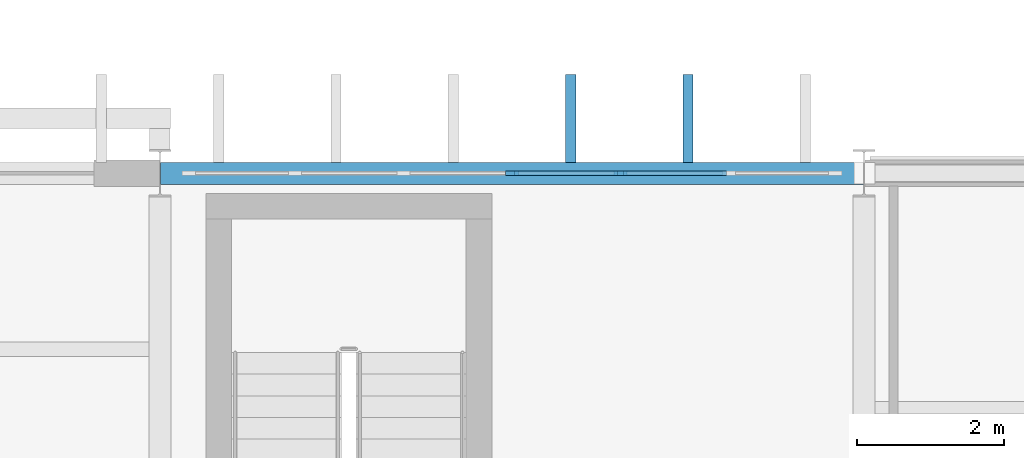
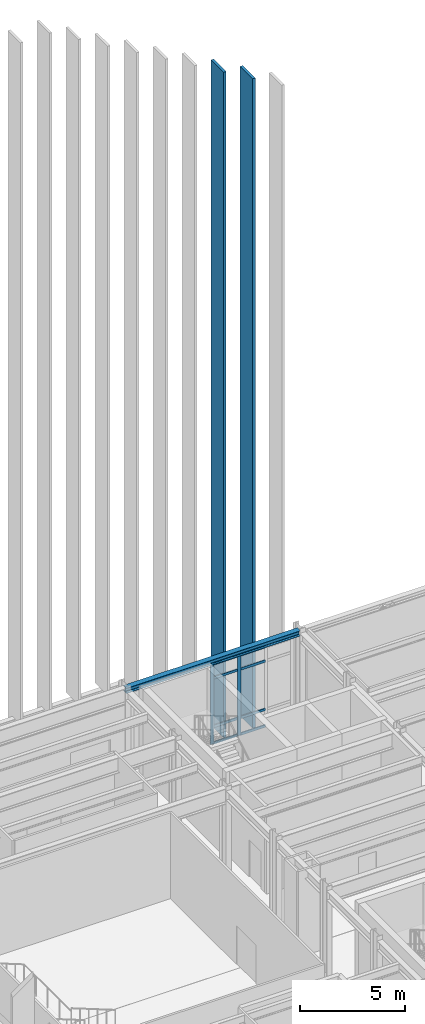
# One storey, part 53 of 109: 12 members, 1 beam, 1 element without a shape of its own.
"""IFC4 building model written with IfcOpenShell, lengths in metres."""

from ifc_helpers import new_model, si_unit, direction, frame, origin, origin_2d, place, context, subcontext, project, spatial, rectangle, i_section, extrude, material, layer, layer_set, material_profile, profile_set, type_object, element, aggregate, save


model = new_model("IFC4")

# Units and contexts
model_context = context("Model", 3, precision=1e-05, world=origin(), true_north=direction((0.0, 1.0)))
body_context = subcontext(model_context, "Body", "Model", "MODEL_VIEW")
ifc_project = project(units=[si_unit("LENGTHUNIT", "METRE"), si_unit("AREAUNIT", "SQUARE_METRE"), si_unit("VOLUMEUNIT", "CUBIC_METRE"), si_unit("PLANEANGLEUNIT", "RADIAN"), si_unit("MASSUNIT", "GRAM", prefix="KILO")], contexts=[model_context])

# Site, building, storey
site_placement = place(None, origin())
site = spatial("IfcSite", under=ifc_project, at=site_placement, CompositionType="ELEMENT")
building_placement = place(site_placement, origin())
building = spatial("IfcBuilding", under=site, at=building_placement, Name="Nordkorset Police Headquarters", CompositionType="ELEMENT")
storey_placement = place(building_placement, origin())
storey = spatial("IfcBuildingStorey", under=building, at=storey_placement, Name="L00", CompositionType="ELEMENT", Elevation=0.0)

# Curtain wall, members
ifc_material_1 = material(Name="Aluminium alloy AW-6060", Category="aluminium")
ifc_layer = layer(ifc_material_1, 0.179931640625, Name="Aluminium alloy AW-6060")
ifc_layer_set = layer_set([ifc_layer], Name="Aluminium alloy AW-6060")
curtain_wall_type = type_object("IfcCurtainWallType", Name="CW_Unit_888x467", PredefinedType="USERDEFINED", material=ifc_layer_set)
curtain_wall_placement = place(storey_placement, origin())
curtain_wall = element("IfcCurtainWall", 1, at=curtain_wall_placement, inside=storey, type_object=curtain_wall_type, Name="Unitised Curtain Wall L00 V1N-2", ObjectType="UNITISED CURTAIN WALL", PredefinedType="USERDEFINED")
ifc_material_2 = material(Name="Aluminium alloy AW-6060", Category="aluminium")
ifc_material_profile_1 = material_profile(ifc_material_2, rectangle(XDim=0.06494140625, YDim=0.179931640625, at=origin_2d()), Name="ALU MULL 65x180")
ifc_profile_set_1 = profile_set([ifc_material_profile_1], Name="Aluminium alloy AW-6060")
member_type_1 = type_object("IfcMemberType", Name="CW_Mullion_65x180", PredefinedType="MULLION", material=ifc_profile_set_1)
member_1_placement = place(storey_placement, frame((24.0, 116.800048828125, 0.0), z_axis=(0.0, 0.0, 1.0), x_axis=(0.0, 1.0, 0.0)))
member_1 = element("IfcMember", 2, at=member_1_placement, type_object=member_type_1, Name="CW-51 mullion 4", PredefinedType="MULLION", context=body_context, shape_type="SweptSolid", body=[
    extrude(rectangle(XDim=0.06494140625, YDim=0.179931640625, at=origin_2d()), origin(), (0.0, 0.0, 1.0), 4.669921875),
])
member_2_placement = place(storey_placement, frame((25.47998046875, 116.800048828125, 0.0), z_axis=(0.0, 0.0, 1.0), x_axis=(0.0, 1.0, 0.0)))
member_2 = element("IfcMember", 3, at=member_2_placement, type_object=member_type_1, Name="CW-51 mullion 5", PredefinedType="MULLION", context=body_context, shape_type="SweptSolid", body=[
    extrude(rectangle(XDim=0.06494140625, YDim=0.179931640625, at=origin_2d()), origin(), (0.0, 0.0, 1.0), 4.669921875),
])
ifc_material_3 = material(Name="Aluminium alloy AW-6060", Category="aluminium")
ifc_material_profile_2 = material_profile(ifc_material_3, rectangle(XDim=0.06494140625, YDim=0.139892578125, at=origin_2d()), Name="ALU TRAN 65x140")
ifc_profile_set_2 = profile_set([ifc_material_profile_2], Name="Aluminium alloy AW-6060")
member_type_2 = type_object("IfcMemberType", Name="CW_Transom_65x140", PredefinedType="USERDEFINED", material=ifc_profile_set_2)
member_3_placement = place(storey_placement, frame((24.032470703125, 116.800048828125, 0.032470703125), z_axis=(1.0, 0.0, 0.0), x_axis=(0.0, 1.0, 0.0)))
member_3 = element("IfcMember", 4, at=member_3_placement, type_object=member_type_2, Name="CW-51 transom 4.1", ObjectType="TRANSOM", PredefinedType="USERDEFINED", context=body_context, shape_type="SweptSolid", body=[
    extrude(rectangle(XDim=0.06494140625, YDim=0.139892578125, at=origin_2d()), origin(), (0.0, 0.0, 1.0), 1.4150390625),
])
member_4_placement = place(storey_placement, frame((24.032470703125, 116.800048828125, 1.0), z_axis=(1.0, 0.0, 0.0), x_axis=(0.0, 1.0, 0.0)))
member_4 = element("IfcMember", 5, at=member_4_placement, type_object=member_type_2, Name="CW-51 transom 4.2", ObjectType="TRANSOM", PredefinedType="USERDEFINED", context=body_context, shape_type="SweptSolid", body=[
    extrude(rectangle(XDim=0.06494140625, YDim=0.139892578125, at=origin_2d()), origin(), (0.0, 0.0, 1.0), 1.4150390625),
])
member_5_placement = place(storey_placement, frame((24.032470703125, 116.800048828125, 3.820068359375), z_axis=(1.0, 0.0, 0.0), x_axis=(0.0, 1.0, 0.0)))
member_5 = element("IfcMember", 6, at=member_5_placement, type_object=member_type_2, Name="CW-51 transom 4.3", ObjectType="TRANSOM", PredefinedType="USERDEFINED", context=body_context, shape_type="SweptSolid", body=[
    extrude(rectangle(XDim=0.06494140625, YDim=0.139892578125, at=origin_2d()), origin(), (0.0, 0.0, 1.0), 1.4150390625),
])
member_6_placement = place(storey_placement, frame((24.032470703125, 116.800048828125, 4.637451171875), z_axis=(1.0, 0.0, 0.0), x_axis=(0.0, 1.0, 0.0)))
member_6 = element("IfcMember", 7, at=member_6_placement, type_object=member_type_2, Name="CW-51 transom 4.4", ObjectType="TRANSOM", PredefinedType="USERDEFINED", context=body_context, shape_type="SweptSolid", body=[
    extrude(rectangle(XDim=0.06494140625, YDim=0.139892578125, at=origin_2d()), origin(), (0.0, 0.0, 1.0), 1.4150390625),
])
member_7_placement = place(storey_placement, frame((25.512451171875, 116.800048828125, 0.032470703125), z_axis=(1.0, 0.0, 0.0), x_axis=(0.0, 1.0, 0.0)))
member_7 = element("IfcMember", 8, at=member_7_placement, type_object=member_type_2, Name="CW-51 transom 5.1", ObjectType="TRANSOM", PredefinedType="USERDEFINED", context=body_context, shape_type="SweptSolid", body=[
    extrude(rectangle(XDim=0.06494140625, YDim=0.139892578125, at=origin_2d()), origin(), (0.0, 0.0, 1.0), 1.4150390625),
])
member_8_placement = place(storey_placement, frame((25.512451171875, 116.800048828125, 1.0), z_axis=(1.0, 0.0, 0.0), x_axis=(0.0, 1.0, 0.0)))
member_8 = element("IfcMember", 9, at=member_8_placement, type_object=member_type_2, Name="CW-51 transom 5.2", ObjectType="TRANSOM", PredefinedType="USERDEFINED", context=body_context, shape_type="SweptSolid", body=[
    extrude(rectangle(XDim=0.06494140625, YDim=0.139892578125, at=origin_2d()), origin(), (0.0, 0.0, 1.0), 1.4150390625),
])
member_9_placement = place(storey_placement, frame((25.512451171875, 116.800048828125, 3.820068359375), z_axis=(1.0, 0.0, 0.0), x_axis=(0.0, 1.0, 0.0)))
member_9 = element("IfcMember", 10, at=member_9_placement, type_object=member_type_2, Name="CW-51 transom 5.3", ObjectType="TRANSOM", PredefinedType="USERDEFINED", context=body_context, shape_type="SweptSolid", body=[
    extrude(rectangle(XDim=0.06494140625, YDim=0.139892578125, at=origin_2d()), origin(), (0.0, 0.0, 1.0), 1.4150390625),
])
member_10_placement = place(storey_placement, frame((25.512451171875, 116.800048828125, 4.637451171875), z_axis=(1.0, 0.0, 0.0), x_axis=(0.0, 1.0, 0.0)))
member_10 = element("IfcMember", 11, at=member_10_placement, type_object=member_type_2, Name="CW-51 transom 5.4", ObjectType="TRANSOM", PredefinedType="USERDEFINED", context=body_context, shape_type="SweptSolid", body=[
    extrude(rectangle(XDim=0.06494140625, YDim=0.139892578125, at=origin_2d()), origin(), (0.0, 0.0, 1.0), 1.4150390625),
])
aggregate(curtain_wall, [member_1, member_2, member_3, member_4, member_5, member_6, member_7, member_8, member_9, member_10])

# Members
ifc_material_4 = material(Name="Glulam GL30c", Category="wood")
ifc_material_profile_3 = material_profile(ifc_material_4, rectangle(XDim=0.139892578125, YDim=1.199951171875, at=origin_2d()), Name="GL30C FIN 140x1200")
ifc_profile_set_3 = profile_set([ifc_material_profile_3], Name="Glulam GL30c")
member_type_3 = type_object("IfcMemberType", Name="Member_GlulamFin_140x1200", PredefinedType="USERDEFINED", material=ifc_profile_set_3)
member_11_placement = place(storey_placement, frame((24.800048828125, 117.550048828125, 0.0), z_axis=(0.0, 0.0, 1.0), x_axis=(1.0, 0.0, 0.0)))
element("IfcMember", 12, at=member_11_placement, inside=storey, type_object=member_type_3, Name="Vertical Glulam Gable Fin North 073", ObjectType="VERTICAL TIMBER FIN", PredefinedType="USERDEFINED", context=body_context, shape_type="SweptSolid", body=[
    extrude(rectangle(XDim=0.139892578125, YDim=1.199951171875, at=origin_2d()), origin(), (0.0, 0.0, 1.0), 38.76220703125),
])
member_12_placement = place(storey_placement, frame((26.39990234375, 117.550048828125, 0.0), z_axis=(0.0, 0.0, 1.0), x_axis=(1.0, 0.0, 0.0)))
element("IfcMember", 13, at=member_12_placement, inside=storey, type_object=member_type_3, Name="Vertical Glulam Gable Fin North 075", ObjectType="VERTICAL TIMBER FIN", PredefinedType="USERDEFINED", context=body_context, shape_type="SweptSolid", body=[
    extrude(rectangle(XDim=0.139892578125, YDim=1.199951171875, at=origin_2d()), origin(), (0.0, 0.0, 1.0), 37.8232421875),
])

# Beam
ifc_material_5 = material(Name="Steel S355J2", Category="steel")
ifc_material_profile_4 = material_profile(ifc_material_5, i_section(OverallWidth=0.300048828125, OverallDepth=0.31005859375, WebThickness=0.009033203125, FlangeThickness=0.015380859375, FilletRadius=0.027099609375, at=origin_2d()), Name="HEA 320")
ifc_profile_set_4 = profile_set([ifc_material_profile_4], Name="Steel S355J2")
beam_type = type_object("IfcBeamType", Name="Spandrel_HEA_320", PredefinedType="SPANDREL", material=ifc_profile_set_4)
beam_placement = place(storey_placement, frame((19.2080078125, 116.800048828125, 4.844970703125), z_axis=(1.0, 0.0, 0.0), x_axis=(0.0, 1.0, 0.0)))
element("IfcBeam", 14, at=beam_placement, inside=storey, type_object=beam_type, Name="Girder V1 L00 GX-7-1", PredefinedType="SPANDREL", context=body_context, shape_type="SweptSolid", body=[
    extrude(i_section(OverallWidth=0.300048828125, OverallDepth=0.31005859375, WebThickness=0.009033203125, FlangeThickness=0.015380859375, FilletRadius=0.027099609375, at=origin_2d()), origin(), (0.0, 0.0, 1.0), 9.583984375),
])

save(model, "model.ifc")
